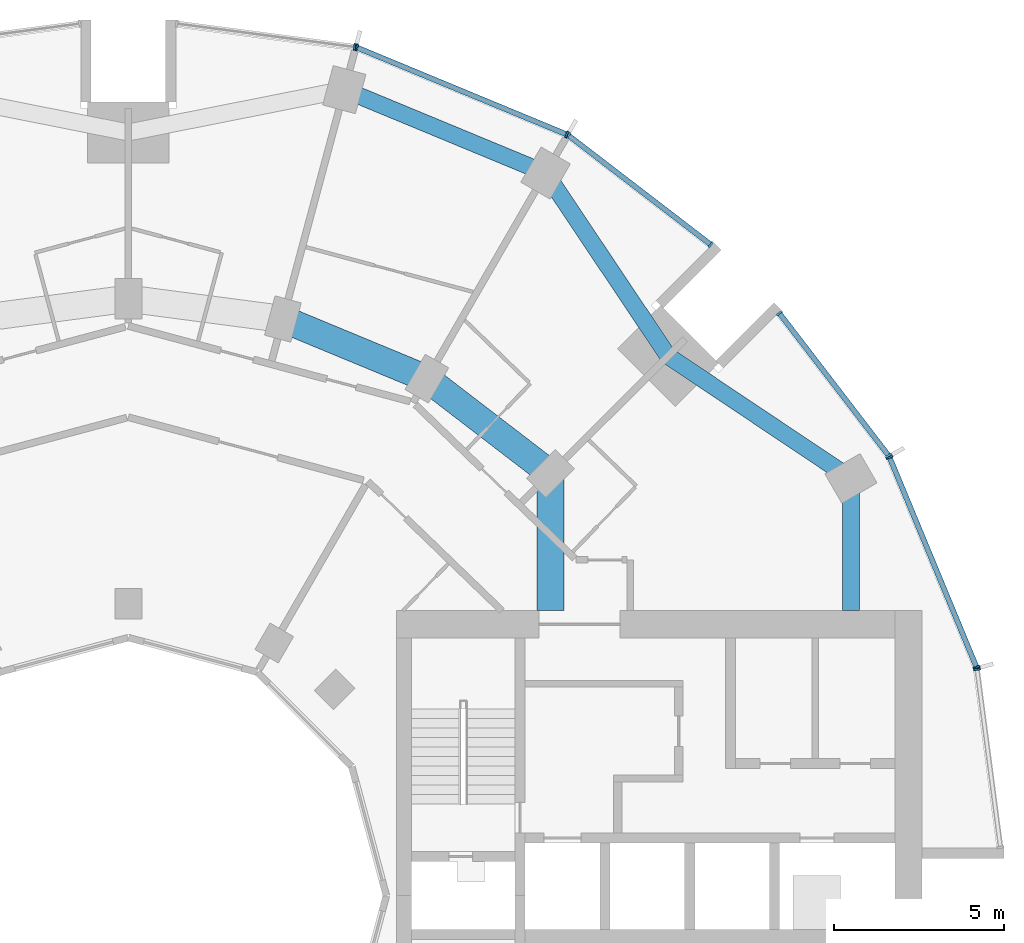
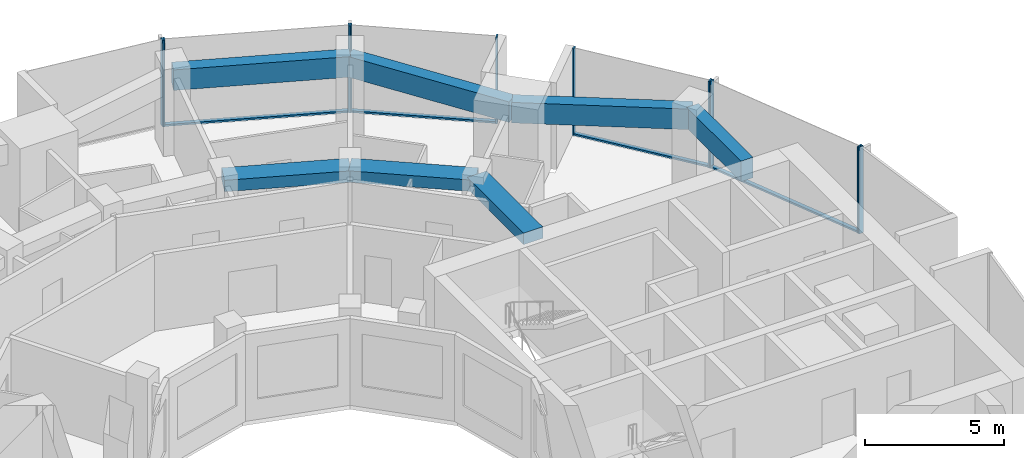
# One storey, part 6 of 15: 14 members, 7 beams, 6 elements without a shape of their own.
"""IFC4 building model written with IfcOpenShell, lengths in metres."""

from ifc_helpers import new_model, si_unit, direction, frame, origin, origin_2d, place, context, subcontext, project, spatial, rectangle, extrude, material, layer, layer_set, material_profile, profile_set, type_object, element, aggregate, save


model = new_model("IFC4")

# Units and contexts
model_context = context("Model", 3, precision=1e-05, world=origin(), true_north=direction((0.0, 1.0)))
body_context = subcontext(model_context, "Body", "Model", "MODEL_VIEW")
ifc_project = project(units=[si_unit("LENGTHUNIT", "METRE"), si_unit("AREAUNIT", "SQUARE_METRE"), si_unit("VOLUMEUNIT", "CUBIC_METRE"), si_unit("PLANEANGLEUNIT", "RADIAN"), si_unit("MASSUNIT", "GRAM", prefix="KILO")], contexts=[model_context])

# Site, building, storey
site_placement = place(None, origin())
site = spatial("IfcSite", under=ifc_project, at=site_placement, CompositionType="ELEMENT")
building_placement = place(site_placement, origin())
building = spatial("IfcBuilding", under=site, at=building_placement, Name="Torre Brocal", CompositionType="ELEMENT")
storey_placement = place(building_placement, frame((0.0, 0.0, 44.0)))
storey = spatial("IfcBuildingStorey", under=building, at=storey_placement, Name="L09", CompositionType="ELEMENT", Elevation=44.0)

# Curtain wall, members
ifc_material_1 = material(Name="Aluminium and glass", Category="aluminium")
ifc_layer_1 = layer(ifc_material_1, 0.199951171875)
ifc_layer_set_1 = layer_set([ifc_layer_1], Name="Aluminium and glass")
curtain_wall_type_1 = type_object("IfcCurtainWallType", Name="CW-1 CURTAIN WALL 3800 HIGH", PredefinedType="NOTDEFINED", material=ifc_layer_set_1)
curtain_wall_1_placement = place(storey_placement, origin())
curtain_wall_1 = element("IfcCurtainWall", 1, at=curtain_wall_1_placement, inside=storey, type_object=curtain_wall_type_1, Name="CW-1 RUN 2", PredefinedType="NOTDEFINED")
ifc_material_2 = material(Name="Aluminium, dark anodised", Category="aluminium")
ifc_material_profile_1 = material_profile(ifc_material_2, rectangle(XDim=0.199951171875, YDim=0.06005859375, at=origin_2d()), Name="CW-1 MULLION 60X200")
ifc_profile_set_1 = profile_set([ifc_material_profile_1], Name="Aluminium, dark anodised")
member_type_1 = type_object("IfcMemberType", Name="CW-1 MULLION 60X200", PredefinedType="MULLION", material=ifc_profile_set_1)
member_1_placement = place(storey_placement, frame((105.005126953125, 81.73095703125, 0.0), z_axis=(0.0, 0.0, 1.0), x_axis=(-0.923879532525, -0.382683432333, 0.0)))
member_1 = element("IfcMember", 2, at=member_1_placement, type_object=member_type_1, Name="CW1-1 mullion 1", PredefinedType="MULLION", context=body_context, shape_type="SweptSolid", body=[
    extrude(rectangle(XDim=0.199951171875, YDim=0.06005859375, at=origin_2d()), origin(), (0.0, 0.0, 1.0), 3.800048828125),
])
member_2_placement = place(storey_placement, frame((102.440673828125, 87.921875, 0.0), z_axis=(0.0, 0.0, 1.0), x_axis=(-0.923879532525, -0.382683432333, 0.0)))
member_2 = element("IfcMember", 3, at=member_2_placement, type_object=member_type_1, Name="CW1-1 mullion 2", PredefinedType="MULLION", context=body_context, shape_type="SweptSolid", body=[
    extrude(rectangle(XDim=0.199951171875, YDim=0.06005859375, at=origin_2d()), origin(), (0.0, 0.0, 1.0), 3.800048828125),
])

curtain_wall_2_placement = place(storey_placement, origin())
curtain_wall_2 = element("IfcCurtainWall", 4, at=curtain_wall_2_placement, inside=storey, type_object=curtain_wall_type_1, Name="CW-1 RUN 3", PredefinedType="NOTDEFINED")
member_3_placement = place(storey_placement, frame((102.4111328125, 87.973388671875, 0.0), z_axis=(0.0, 0.0, 1.0), x_axis=(-0.793353340259, -0.60876142905, 0.0)))
member_3 = element("IfcMember", 5, at=member_3_placement, type_object=member_type_1, Name="CW1-1 mullion 1", PredefinedType="MULLION", context=body_context, shape_type="SweptSolid", body=[
    extrude(rectangle(XDim=0.199951171875, YDim=0.06005859375, at=origin_2d()), origin(), (0.0, 0.0, 1.0), 3.800048828125),
])
member_4_placement = place(storey_placement, frame((99.19140625, 92.16943359375, 0.0), z_axis=(0.0, 0.0, 1.0), x_axis=(-0.793353340259, -0.60876142905, 0.0)))
member_4 = element("IfcMember", 6, at=member_4_placement, type_object=member_type_1, Name="CW1-1 mullion 2", PredefinedType="MULLION", context=body_context, shape_type="SweptSolid", body=[
    extrude(rectangle(XDim=0.199951171875, YDim=0.06005859375, at=origin_2d()), origin(), (0.0, 0.0, 1.0), 3.800048828125),
])

curtain_wall_3_placement = place(storey_placement, origin())
curtain_wall_3 = element("IfcCurtainWall", 7, at=curtain_wall_3_placement, inside=storey, type_object=curtain_wall_type_1, Name="CW-1 RUN 4", PredefinedType="NOTDEFINED")
member_5_placement = place(storey_placement, frame((97.16943359375, 94.19140625, 0.0), z_axis=(0.0, 0.0, 1.0), x_axis=(-0.60876142905, -0.793353340259, 0.0)))
member_5 = element("IfcMember", 8, at=member_5_placement, type_object=member_type_1, Name="CW1-1 mullion 1", PredefinedType="MULLION", context=body_context, shape_type="SweptSolid", body=[
    extrude(rectangle(XDim=0.199951171875, YDim=0.06005859375, at=origin_2d()), origin(), (0.0, 0.0, 1.0), 3.800048828125),
])
member_6_placement = place(storey_placement, frame((92.973388671875, 97.4111328125, 0.0), z_axis=(0.0, 0.0, 1.0), x_axis=(-0.60876142905, -0.793353340259, 0.0)))
member_6 = element("IfcMember", 9, at=member_6_placement, type_object=member_type_1, Name="CW1-1 mullion 2", PredefinedType="MULLION", context=body_context, shape_type="SweptSolid", body=[
    extrude(rectangle(XDim=0.199951171875, YDim=0.06005859375, at=origin_2d()), origin(), (0.0, 0.0, 1.0), 3.800048828125),
])

curtain_wall_4_placement = place(storey_placement, origin())
curtain_wall_4 = element("IfcCurtainWall", 10, at=curtain_wall_4_placement, inside=storey, type_object=curtain_wall_type_1, Name="CW-1 RUN 5", PredefinedType="NOTDEFINED")
member_7_placement = place(storey_placement, frame((92.921875, 97.440673828125, 0.0), z_axis=(0.0, 0.0, 1.0), x_axis=(-0.382683432333, -0.923879532525, 0.0)))
member_7 = element("IfcMember", 11, at=member_7_placement, type_object=member_type_1, Name="CW1-1 mullion 1", PredefinedType="MULLION", context=body_context, shape_type="SweptSolid", body=[
    extrude(rectangle(XDim=0.199951171875, YDim=0.06005859375, at=origin_2d()), origin(), (0.0, 0.0, 1.0), 3.800048828125),
])
member_8_placement = place(storey_placement, frame((86.73095703125, 100.005126953125, 0.0), z_axis=(0.0, 0.0, 1.0), x_axis=(-0.382683432333, -0.923879532525, 0.0)))
member_8 = element("IfcMember", 12, at=member_8_placement, type_object=member_type_1, Name="CW1-1 mullion 2", PredefinedType="MULLION", context=body_context, shape_type="SweptSolid", body=[
    extrude(rectangle(XDim=0.199951171875, YDim=0.06005859375, at=origin_2d()), origin(), (0.0, 0.0, 1.0), 3.800048828125),
])

# Curtain wall, member
curtain_wall_5_placement = place(storey_placement, origin())
curtain_wall_5 = element("IfcCurtainWall", 13, at=curtain_wall_5_placement, inside=storey, type_object=curtain_wall_type_1, Name="CW-1 RUN 6", PredefinedType="NOTDEFINED")
member_9_placement = place(storey_placement, frame((86.67333984375, 100.0205078125, 0.0), z_axis=(0.0, 0.0, 1.0), x_axis=(-0.13052619222, -0.991444861374, 0.0)))
member_9 = element("IfcMember", 14, at=member_9_placement, type_object=member_type_1, Name="CW1-1 mullion 1", PredefinedType="MULLION", context=body_context, shape_type="SweptSolid", body=[
    extrude(rectangle(XDim=0.199951171875, YDim=0.06005859375, at=origin_2d()), origin(), (0.0, 0.0, 1.0), 3.800048828125),
])
aggregate(curtain_wall_5, [member_9])

# Member
ifc_material_3 = material(Name="Aluminium, dark anodised", Category="aluminium")
ifc_material_profile_2 = material_profile(ifc_material_3, rectangle(XDim=0.159912109375, YDim=0.080078125, at=origin_2d()), Name="CW-1 TRANSOM 160X80")
ifc_profile_set_2 = profile_set([ifc_material_profile_2], Name="Aluminium, dark anodised")
member_type_2 = type_object("IfcMemberType", Name="CW-1 TRANSOM 160X80", PredefinedType="USERDEFINED", material=ifc_profile_set_2)
member_10_placement = place(storey_placement, frame((104.99365234375, 81.758544921875, 0.0400390625), z_axis=(-0.38266457234, 0.923887344364, 0.0), x_axis=(-0.923887344364, -0.38266457234, 0.0)))
member_10 = element("IfcMember", 15, at=member_10_placement, type_object=member_type_2, Name="CW1-1 transom 1.1", ObjectType="TRANSOM", PredefinedType="USERDEFINED", context=body_context, shape_type="SweptSolid", body=[
    extrude(rectangle(XDim=0.159912109375, YDim=0.080078125, at=origin_2d()), origin(), (0.0, 0.0, 1.0), 6.640869140625),
])

aggregate(curtain_wall_1, [member_1, member_2, member_10])

member_11_placement = place(storey_placement, frame((102.392822265625, 87.9970703125, 0.0400390625), z_axis=(-0.60874908096, 0.79336281513, 0.0), x_axis=(-0.79336281513, -0.60874908096, 0.0)))
member_11 = element("IfcMember", 16, at=member_11_placement, type_object=member_type_2, Name="CW1-1 transom 1.1", ObjectType="TRANSOM", PredefinedType="USERDEFINED", context=body_context, shape_type="SweptSolid", body=[
    extrude(rectangle(XDim=0.159912109375, YDim=0.080078125, at=origin_2d()), origin(), (0.0, 0.0, 1.0), 5.22900390625),
])

aggregate(curtain_wall_2, [member_3, member_4, member_11])

member_12_placement = place(storey_placement, frame((97.1455078125, 94.209716796875, 0.0400390625), z_axis=(-0.79336281513, 0.60874908096, 0.0), x_axis=(-0.60874908096, -0.79336281513, 0.0)))
member_12 = element("IfcMember", 17, at=member_12_placement, type_object=member_type_2, Name="CW1-1 transom 1.1", ObjectType="TRANSOM", PredefinedType="USERDEFINED", context=body_context, shape_type="SweptSolid", body=[
    extrude(rectangle(XDim=0.159912109375, YDim=0.080078125, at=origin_2d()), origin(), (0.0, 0.0, 1.0), 5.22900390625),
])

aggregate(curtain_wall_3, [member_5, member_6, member_12])

member_13_placement = place(storey_placement, frame((92.89404296875, 97.452392578125, 0.0400390625), z_axis=(-0.923887344364, 0.38266457234, 0.0), x_axis=(-0.38266457234, -0.923887344364, 0.0)))
member_13 = element("IfcMember", 18, at=member_13_placement, type_object=member_type_2, Name="CW1-1 transom 1.1", ObjectType="TRANSOM", PredefinedType="USERDEFINED", context=body_context, shape_type="SweptSolid", body=[
    extrude(rectangle(XDim=0.159912109375, YDim=0.080078125, at=origin_2d()), origin(), (0.0, 0.0, 1.0), 6.640869140625),
])

aggregate(curtain_wall_4, [member_7, member_8, member_13])

# Curtain wall, member
ifc_material_4 = material(Name="Aluminium and glass", Category="aluminium")
ifc_layer_2 = layer(ifc_material_4, 0.199951171875)
ifc_layer_set_2 = layer_set([ifc_layer_2], Name="Aluminium and glass")
curtain_wall_type_2 = type_object("IfcCurtainWallType", Name="CW-1B CURTAIN WALL 3800 HIGH", PredefinedType="NOTDEFINED", material=ifc_layer_set_2)
curtain_wall_6_placement = place(storey_placement, origin())
curtain_wall_6 = element("IfcCurtainWall", 19, at=curtain_wall_6_placement, inside=storey, type_object=curtain_wall_type_2, Name="CW-1B RUN 1", PredefinedType="NOTDEFINED")
ifc_material_5 = material(Name="Aluminium, dark anodised", Category="aluminium")
ifc_material_profile_3 = material_profile(ifc_material_5, rectangle(XDim=0.199951171875, YDim=0.06005859375, at=origin_2d()), Name="CW-1B MULLION 60X200")
ifc_profile_set_3 = profile_set([ifc_material_profile_3], Name="Aluminium, dark anodised")
member_type_3 = type_object("IfcMemberType", Name="CW-1B MULLION 60X200", PredefinedType="MULLION", material=ifc_profile_set_3)
member_14_placement = place(storey_placement, frame((105.0205078125, 81.67333984375, 0.0), z_axis=(0.0, 0.0, 1.0), x_axis=(-0.991444861374, -0.13052619222, 0.0)))
member_14 = element("IfcMember", 20, at=member_14_placement, type_object=member_type_3, Name="CW1B-1 mullion 2", PredefinedType="MULLION", context=body_context, shape_type="SweptSolid", body=[
    extrude(rectangle(XDim=0.199951171875, YDim=0.06005859375, at=origin_2d()), origin(), (0.0, 0.0, 1.0), 3.800048828125),
])
aggregate(curtain_wall_6, [member_14])

# Beams
ifc_material_6 = material(Name="Concrete C50", Category="concrete")
ifc_material_profile_4 = material_profile(ifc_material_6, rectangle(XDim=0.800048828125, YDim=0.5, at=origin_2d()), Name="RC 800X500")
ifc_profile_set_4 = profile_set([ifc_material_profile_4], Name="Concrete C50")
beam_type_1 = type_object("IfcBeamType", Name="RC BEAM 800X500 C50 TOP 3480", PredefinedType="BEAM", material=ifc_profile_set_4)
beam_1_placement = place(storey_placement, frame((92.445068359375, 87.445068359375, 3.22998046875), z_axis=(-0.793358265959, 0.6087550097, 0.0), x_axis=(-0.6087550097, -0.793358265959, 0.0)))
element("IfcBeam", 21, at=beam_1_placement, inside=storey, type_object=beam_type_1, Name="Beam BT-19", PredefinedType="BEAM", context=body_context, shape_type="SweptSolid", body=[
    extrude(rectangle(XDim=0.800048828125, YDim=0.5, at=origin_2d()), origin(), (0.0, 0.0, 1.0), 4.594482421875),
])
beam_2_placement = place(storey_placement, frame((88.800048828125, 90.241943359375, 3.22998046875), z_axis=(-0.923878240166, 0.382686552348, 0.0), x_axis=(-0.382686552348, -0.923878240166, 0.0)))
element("IfcBeam", 22, at=beam_2_placement, inside=storey, type_object=beam_type_1, Name="Beam BT-19", PredefinedType="BEAM", context=body_context, shape_type="SweptSolid", body=[
    extrude(rectangle(XDim=0.800048828125, YDim=0.5, at=origin_2d()), origin(), (0.0, 0.0, 1.0), 4.5947265625),
])
beam_3_placement = place(storey_placement, frame((92.445068359375, 87.445068359375, 3.22998046875), z_axis=(0.0, -1.0, 0.0), x_axis=(1.0, 0.0, 0.0)))
element("IfcBeam", 23, at=beam_3_placement, inside=storey, type_object=beam_type_1, Name="Beam BT-19", PredefinedType="BEAM", context=body_context, shape_type="SweptSolid", body=[
    extrude(rectangle(XDim=0.800048828125, YDim=0.5, at=origin_2d()), origin(), (0.0, 0.0, 1.0), 4.045166015625),
])
ifc_material_7 = material(Name="Concrete C50", Category="concrete")
ifc_material_profile_5 = material_profile(ifc_material_7, rectangle(XDim=0.5, YDim=0.89990234375, at=origin_2d()), Name="RC 500X900")
ifc_profile_set_5 = profile_set([ifc_material_profile_5], Name="Concrete C50")
beam_type_2 = type_object("IfcBeamType", Name="RC SPANDREL BEAM 500X900 C50 TOP 3480", PredefinedType="SPANDREL", material=ifc_profile_set_5)
for number, where, z_axis, x_axis, name in (
    (24, (101.30419921875, 87.300048828125, 3.030029296875), (-0.831076844476, 0.556157602282, 0.0), (-0.556157602282, -0.831076844476, 0.0), "Beam BT-20"),
    (25, (95.909912109375, 90.909912109375, 3.030029296875), (-0.556157602282, 0.831076844476, 0.0), (-0.831076844476, -0.556157602282, 0.0), "Beam BT-20"),
):
    element("IfcBeam", number, at=place(storey_placement, frame(where, z_axis=z_axis, x_axis=x_axis)), inside=storey, type_object=beam_type_2, Name=name, PredefinedType="SPANDREL", context=body_context, shape_type="SweptSolid", body=[
        extrude(rectangle(XDim=0.5, YDim=0.89990234375, at=origin_2d()), origin(), (0.0, 0.0, 1.0), 6.49072265625),
    ])
beam_4_placement = place(storey_placement, frame((92.300048828125, 96.30419921875, 3.030029296875), z_axis=(-0.923882462513, 0.382676358639, 0.0), x_axis=(-0.382676358639, -0.923882462513, 0.0)))
element("IfcBeam", 26, at=beam_4_placement, inside=storey, type_object=beam_type_2, Name="Beam BT-20", PredefinedType="SPANDREL", context=body_context, shape_type="SweptSolid", body=[
    extrude(rectangle(XDim=0.5, YDim=0.89990234375, at=origin_2d()), origin(), (0.0, 0.0, 1.0), 6.421875),
])
beam_5_placement = place(storey_placement, frame((101.30419921875, 87.300048828125, 3.030029296875), z_axis=(0.0, -1.0, 0.0), x_axis=(1.0, 0.0, 0.0)))
element("IfcBeam", 27, at=beam_5_placement, inside=storey, type_object=beam_type_2, Name="Beam BT-20", PredefinedType="SPANDREL", context=body_context, shape_type="SweptSolid", body=[
    extrude(rectangle(XDim=0.5, YDim=0.89990234375, at=origin_2d()), origin(), (0.0, 0.0, 1.0), 3.900146484375),
])

save(model, "model.ifc")
